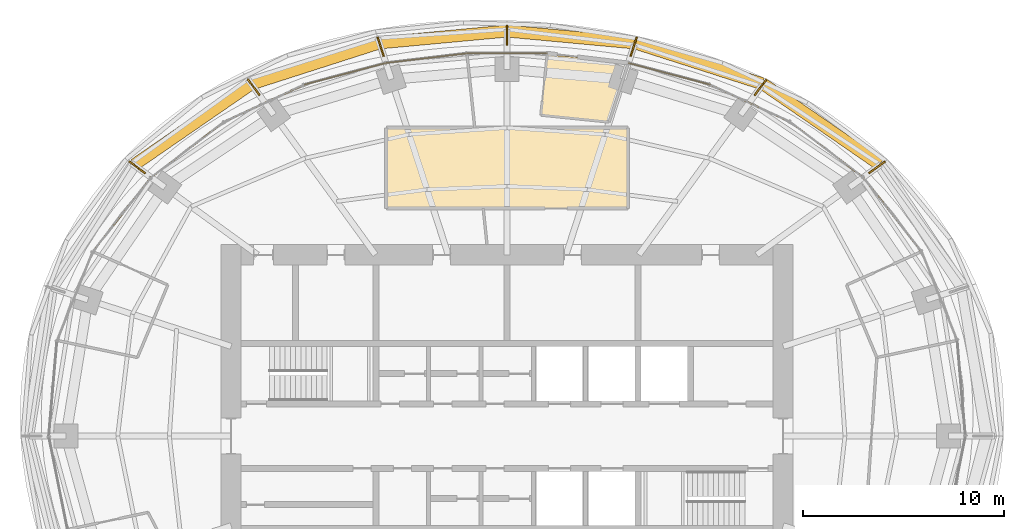
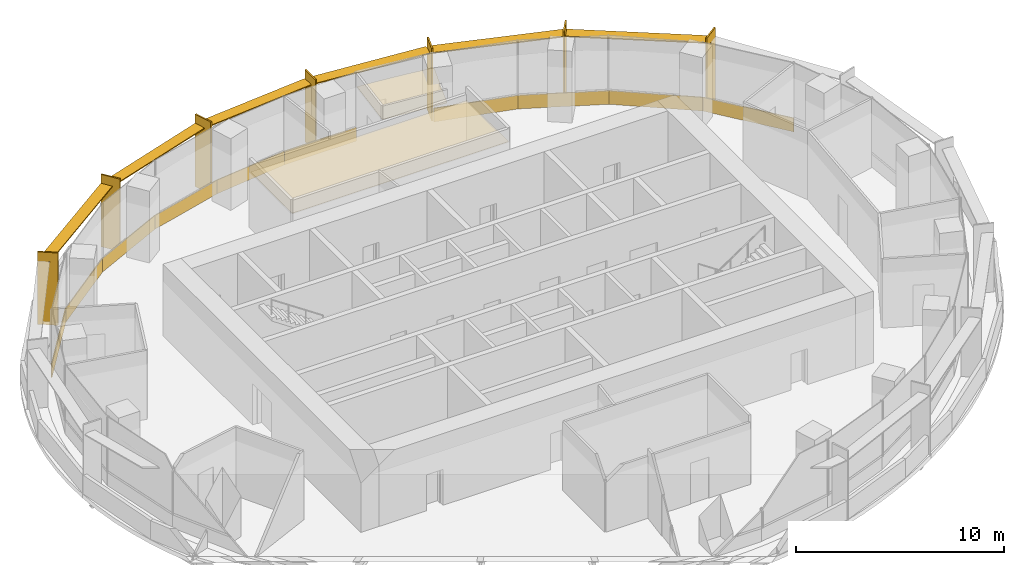
# One storey, part 15 of 15: 13 shading devices, 12 coverings.
"""IFC4 building model written with IfcOpenShell, lengths in metres."""

from ifc_helpers import new_model, si_unit, direction, frame, origin, origin_2d, place, context, subcontext, project, spatial, polyline, rectangle, outline, extrude, material, layer, layer_set, type_object, element, save


model = new_model("IFC4")

# Units and contexts
model_context = context("Model", 3, precision=1e-05, world=origin(), true_north=direction((0.0, 1.0)))
body_context = subcontext(model_context, "Body", "Model", "MODEL_VIEW")
ifc_project = project(units=[si_unit("LENGTHUNIT", "METRE"), si_unit("AREAUNIT", "SQUARE_METRE"), si_unit("VOLUMEUNIT", "CUBIC_METRE"), si_unit("PLANEANGLEUNIT", "RADIAN"), si_unit("MASSUNIT", "GRAM", prefix="KILO")], contexts=[model_context])

# Site, building, storey
site_placement = place(None, origin())
site = spatial("IfcSite", under=ifc_project, at=site_placement, CompositionType="ELEMENT")
building_placement = place(site_placement, origin())
building = spatial("IfcBuilding", under=site, at=building_placement, Name="Marramba Exchange Tower", CompositionType="ELEMENT")
storey_placement = place(building_placement, frame((0.0, 0.0, 251.800048828125)))
storey = spatial("IfcBuildingStorey", under=building, at=storey_placement, Name="L61", CompositionType="ELEMENT", Elevation=251.800048828125)

# Shading devices
ifc_material_1 = material(Name="Aluminium blade, timber-look bronze finish", Category="wood")
ifc_layer_1 = layer(ifc_material_1, 0.080078125)
ifc_layer_set_1 = layer_set([ifc_layer_1], Name="Floor-edge blade 1000x80")
shading_device_type_1 = type_object("IfcShadingDeviceType", Name="Floor-edge blade 1000x80", PredefinedType="USERDEFINED", material=ifc_layer_set_1)
for number, where, z_axis, x_axis, name in (
    (1, (18.361083984375, 13.340087890625, -0.2001953125), (0.0, 0.0, 1.0), (0.809016994375, 0.587785252292, 0.0), "Floor-edge blade FB1 L61 TC03"),
    (2, (12.58056640625, 17.315673828125, -0.2001953125), (0.0, 0.0, 1.0), (0.587785252292, 0.809016994375, 0.0), "Floor-edge blade FB1 L61 TC04"),
    (3, (6.279296875, 19.325439453125, -0.2001953125), (0.0, 0.0, 1.0), (0.309016994375, 0.951056516295, 0.0), "Floor-edge blade FB1 L61 TC05"),
    (4, (0.0, 19.904052734375, -0.2001953125), (0.0, 0.0, 1.0), (0.0, 1.0, 0.0), "Floor-edge blade FB1 L61 TC06"),
    (5, (-6.279296875, 19.325439453125, -0.2001953125), (0.0, 0.0, 1.0), (-0.309016994375, 0.951056516295, 0.0), "Floor-edge blade FB1 L61 TC07"),
    (6, (-12.58056640625, 17.315673828125, -0.2001953125), (0.0, 0.0, 1.0), (-0.587785252292, 0.809016994375, 0.0), "Floor-edge blade FB1 L61 TC08"),
    (7, (-18.361083984375, 13.340087890625, -0.2001953125), (0.0, 0.0, 1.0), (-0.809016994375, 0.587785252292, 0.0), "Floor-edge blade FB1 L61 TC09"),
):
    element("IfcShadingDevice", number, at=place(storey_placement, frame(where, z_axis=z_axis, x_axis=x_axis)), inside=storey, type_object=shading_device_type_1, Name=name, ObjectType="FIN", PredefinedType="USERDEFINED", context=body_context, shape_type="SweptSolid", body=[
        extrude(rectangle(XDim=1.0, YDim=0.080078125, at=origin_2d()), origin(), (0.0, 0.0, 1.0), 4.239990234375),
    ])
ifc_material_2 = material(Name="Aluminium sunshade, bronze anodised", Category="aluminium")
ifc_layer_2 = layer(ifc_material_2, 0.06005859375)
ifc_layer_set_2 = layer_set([ifc_layer_2], Name="SUNSHADE blade 600x60")
shading_device_type_2 = type_object("IfcShadingDeviceType", Name="SUNSHADE blade 600x60", PredefinedType="USERDEFINED", material=ifc_layer_set_2)
shading_device_1_placement = place(storey_placement, frame((15.610595703125, 15.467529296875, 3.4599609375), z_axis=(0.0, 0.0, 1.0), x_axis=(-0.823024460267, 0.568005931134, 0.0)))
element("IfcShadingDevice", 8, at=shading_device_1_placement, inside=storey, type_object=shading_device_type_2, Name="Sunshade SS1 L61 bay 03", ObjectType="SUNSHADE", PredefinedType="USERDEFINED", context=body_context, shape_type="SweptSolid", body=[
    extrude(rectangle(XDim=6.9970703125, YDim=0.60009765625, at=origin_2d()), origin(), (0.0, 0.0, 1.0), 0.06005859375),
])
shading_device_2_placement = place(storey_placement, frame((9.51953125, 18.49658203125, 3.4599609375), z_axis=(0.0, 0.0, 1.0), x_axis=(-0.952259596472, 0.30528947071, 0.0)))
element("IfcShadingDevice", 9, at=shading_device_2_placement, inside=storey, type_object=shading_device_type_2, Name="Sunshade SS1 L61 bay 04", ObjectType="SUNSHADE", PredefinedType="USERDEFINED", context=body_context, shape_type="SweptSolid", body=[
    extrude(rectangle(XDim=6.595947265625, YDim=0.60009765625, at=origin_2d()), origin(), (0.0, 0.0, 1.0), 0.06005859375),
])
for number, where, z_axis, x_axis, name in (
    (10, (3.17041015625, 19.809814453125, 3.4599609375), (0.0, 0.0, 1.0), (-0.995722269911, 0.092396759698, 0.0), "Sunshade SS1 L61 bay 05"),
    (11, (-3.17041015625, 19.809814453125, 3.4599609375), (0.0, 0.0, 1.0), (-0.995722269911, -0.092396759698, 0.0), "Sunshade SS1 L61 bay 06"),
):
    element("IfcShadingDevice", number, at=place(storey_placement, frame(where, z_axis=z_axis, x_axis=x_axis)), inside=storey, type_object=shading_device_type_2, Name=name, ObjectType="SUNSHADE", PredefinedType="USERDEFINED", context=body_context, shape_type="SweptSolid", body=[
        extrude(rectangle(XDim=6.288330078125, YDim=0.60009765625, at=origin_2d()), origin(), (0.0, 0.0, 1.0), 0.06005859375),
    ])
shading_device_3_placement = place(storey_placement, frame((-9.51953125, 18.49658203125, 3.4599609375), z_axis=(0.0, 0.0, 1.0), x_axis=(-0.952259596472, -0.30528947071, 0.0)))
element("IfcShadingDevice", 12, at=shading_device_3_placement, inside=storey, type_object=shading_device_type_2, Name="Sunshade SS1 L61 bay 07", ObjectType="SUNSHADE", PredefinedType="USERDEFINED", context=body_context, shape_type="SweptSolid", body=[
    extrude(rectangle(XDim=6.595947265625, YDim=0.60009765625, at=origin_2d()), origin(), (0.0, 0.0, 1.0), 0.06005859375),
])
shading_device_4_placement = place(storey_placement, frame((-15.610595703125, 15.467529296875, 3.4599609375), z_axis=(0.0, 0.0, 1.0), x_axis=(-0.823024460267, -0.568005931134, 0.0)))
element("IfcShadingDevice", 13, at=shading_device_4_placement, inside=storey, type_object=shading_device_type_2, Name="Sunshade SS1 L61 bay 08", ObjectType="SUNSHADE", PredefinedType="USERDEFINED", context=body_context, shape_type="SweptSolid", body=[
    extrude(rectangle(XDim=6.9970703125, YDim=0.60009765625, at=origin_2d()), origin(), (0.0, 0.0, 1.0), 0.06005859375),
])

# Coverings
ifc_material_3 = material(Name="Aluminium spandrel panel, bronze anodised, insulated", Category="aluminium")
ifc_layer_3 = layer(ifc_material_3, 0.050048828125)
ifc_layer_set_3 = layer_set([ifc_layer_3], Name="Spandrel panel 800")
covering_type_1 = type_object("IfcCoveringType", Name="Spandrel panel 800", PredefinedType="CLADDING", material=ifc_layer_set_3)
covering_1_placement = place(storey_placement, frame((19.12158203125, 10.999267578125, 0.0), z_axis=(0.0, 0.0, 1.0), x_axis=(-0.618222858348, 0.786002860946, 0.0)))
element("IfcCovering", 14, at=covering_1_placement, inside=storey, type_object=covering_type_1, Name="Spandrel panel SP1 L61 F03", PredefinedType="CLADDING", context=body_context, shape_type="SweptSolid", body=[
    extrude(rectangle(XDim=4.684814453125, YDim=0.050048828125, at=origin_2d()), origin(), (0.0, 0.0, 1.0), 0.800048828125),
])
covering_2_placement = place(storey_placement, frame((15.859375, 14.2197265625, 0.0), z_axis=(0.0, 0.0, 1.0), x_axis=(-0.796058898731, 0.605219158447, 0.0)))
element("IfcCovering", 15, at=covering_2_placement, inside=storey, type_object=covering_type_1, Name="Spandrel panel SP1 L61 F04", PredefinedType="CLADDING", context=body_context, shape_type="SweptSolid", body=[
    extrude(rectangle(XDim=4.5576171875, YDim=0.050048828125, at=origin_2d()), origin(), (0.0, 0.0, 1.0), 0.800048828125),
])
covering_3_placement = place(storey_placement, frame((12.057861328125, 16.520751953125, 0.0), z_axis=(0.0, 0.0, 1.0), x_axis=(-0.907130582029, 0.420849268918, 0.0)))
element("IfcCovering", 16, at=covering_3_placement, inside=storey, type_object=covering_type_1, Name="Spandrel panel SP1 L61 F05", PredefinedType="CLADDING", context=body_context, shape_type="SweptSolid", body=[
    extrude(rectangle(XDim=4.381591796875, YDim=0.050048828125, at=origin_2d()), origin(), (0.0, 0.0, 1.0), 0.800048828125),
])
covering_4_placement = place(storey_placement, frame((8.04345703125, 17.97998046875, 0.0), z_axis=(0.0, 0.0, 1.0), x_axis=(-0.966643517403, 0.256125575184, 0.0)))
element("IfcCovering", 17, at=covering_4_placement, inside=storey, type_object=covering_type_1, Name="Spandrel panel SP1 L61 F06", PredefinedType="CLADDING", context=body_context, shape_type="SweptSolid", body=[
    extrude(rectangle(XDim=4.194091796875, YDim=0.050048828125, at=origin_2d()), origin(), (0.0, 0.0, 1.0), 0.800048828125),
])
covering_5_placement = place(storey_placement, frame((0.0, 18.9970703125, 0.0), z_axis=(0.0, 0.0, 1.0), x_axis=(-1.0, 0.0, 0.0)))
element("IfcCovering", 18, at=covering_5_placement, inside=storey, type_object=covering_type_1, Name="Spandrel panel SP1 L61 F08", PredefinedType="CLADDING", context=body_context, shape_type="SweptSolid", body=[
    extrude(rectangle(XDim=3.993408203125, YDim=0.050048828125, at=origin_2d()), origin(), (0.0, 0.0, 1.0), 0.800048828125),
])
covering_6_placement = place(storey_placement, frame((-4.006591796875, 18.757080078125, 0.0), z_axis=(0.0, 0.0, 1.0), x_axis=(-0.992947252913, -0.118556960709, 0.0)))
element("IfcCovering", 19, at=covering_6_placement, inside=storey, type_object=covering_type_1, Name="Spandrel panel SP1 L61 F09", PredefinedType="CLADDING", context=body_context, shape_type="SweptSolid", body=[
    extrude(rectangle(XDim=4.04833984375, YDim=0.050048828125, at=origin_2d()), origin(), (0.0, 0.0, 1.0), 0.800048828125),
])
covering_7_placement = place(storey_placement, frame((-8.04345703125, 17.97998046875, 0.0), z_axis=(0.0, 0.0, 1.0), x_axis=(-0.966643517403, -0.256125575184, 0.0)))
element("IfcCovering", 20, at=covering_7_placement, inside=storey, type_object=covering_type_1, Name="Spandrel panel SP1 L61 F10", PredefinedType="CLADDING", context=body_context, shape_type="SweptSolid", body=[
    extrude(rectangle(XDim=4.194091796875, YDim=0.050048828125, at=origin_2d()), origin(), (0.0, 0.0, 1.0), 0.800048828125),
])
covering_8_placement = place(storey_placement, frame((-12.057861328125, 16.520751953125, 0.0), z_axis=(0.0, 0.0, 1.0), x_axis=(-0.907130582029, -0.420849268918, 0.0)))
element("IfcCovering", 21, at=covering_8_placement, inside=storey, type_object=covering_type_1, Name="Spandrel panel SP1 L61 F11", PredefinedType="CLADDING", context=body_context, shape_type="SweptSolid", body=[
    extrude(rectangle(XDim=4.381591796875, YDim=0.050048828125, at=origin_2d()), origin(), (0.0, 0.0, 1.0), 0.800048828125),
])
covering_9_placement = place(storey_placement, frame((-15.859375, 14.2197265625, 0.0), z_axis=(0.0, 0.0, 1.0), x_axis=(-0.796058898731, -0.605219158447, 0.0)))
element("IfcCovering", 22, at=covering_9_placement, inside=storey, type_object=covering_type_1, Name="Spandrel panel SP1 L61 F12", PredefinedType="CLADDING", context=body_context, shape_type="SweptSolid", body=[
    extrude(rectangle(XDim=4.5576171875, YDim=0.050048828125, at=origin_2d()), origin(), (0.0, 0.0, 1.0), 0.800048828125),
])
covering_10_placement = place(storey_placement, frame((-19.12158203125, 10.999267578125, 0.0), z_axis=(0.0, 0.0, 1.0), x_axis=(-0.618222858348, -0.786002860946, 0.0)))
element("IfcCovering", 23, at=covering_10_placement, inside=storey, type_object=covering_type_1, Name="Spandrel panel SP1 L61 F13", PredefinedType="CLADDING", context=body_context, shape_type="SweptSolid", body=[
    extrude(rectangle(XDim=4.684814453125, YDim=0.050048828125, at=origin_2d()), origin(), (0.0, 0.0, 1.0), 0.800048828125),
])
ifc_material_4 = material(Name="Mineral fibre ceiling tiles", Category="gypsum")
ifc_layer_4 = layer(ifc_material_4, 0.02001953125)
ifc_layer_set_4 = layer_set([ifc_layer_4], Name="Suspended ceiling 20")
covering_type_2 = type_object("IfcCoveringType", Name="Suspended ceiling 20", PredefinedType="CEILING", material=ifc_layer_set_4)
covering_11_placement = place(storey_placement, frame((0.0, 0.0, 3.199951171875)))
element("IfcCovering", 24, at=covering_11_placement, inside=storey, type_object=covering_type_2, Name="Ceiling CL1 L61 Roof Maintenance Store", PredefinedType="CEILING", context=body_context, shape_type="SweptSolid", body=[
    extrude(outline(polyline([(2.98486328125, 18.845703125), (3.984130859375, 18.74365234375), (4.7216796875, 18.644775390625), (4.986328125, 18.609375), (5.99169921875, 18.44091796875), (5.064697265625, 15.587646484375), (1.6748046875, 15.933837890625), (1.98828125, 18.91748046875), (2.98486328125, 18.845703125)])), origin(), (0.0, 0.0, 1.0), 0.02001953125),
])
covering_12_placement = place(storey_placement, frame((0.0, 0.0, 3.199951171875)))
element("IfcCovering", 25, at=covering_12_placement, inside=storey, type_object=covering_type_2, Name="Ceiling CL1 L61 Meeting Room", PredefinedType="CEILING", context=body_context, shape_type="SweptSolid", body=[
    extrude(outline(polyline([(6.0, 15.300048828125), (6.0, 11.300048828125), (-6.0, 11.300048828125), (-6.0, 15.300048828125), (6.0, 15.300048828125)])), origin(), (0.0, 0.0, 1.0), 0.02001953125),
])

save(model, "model.ifc")
